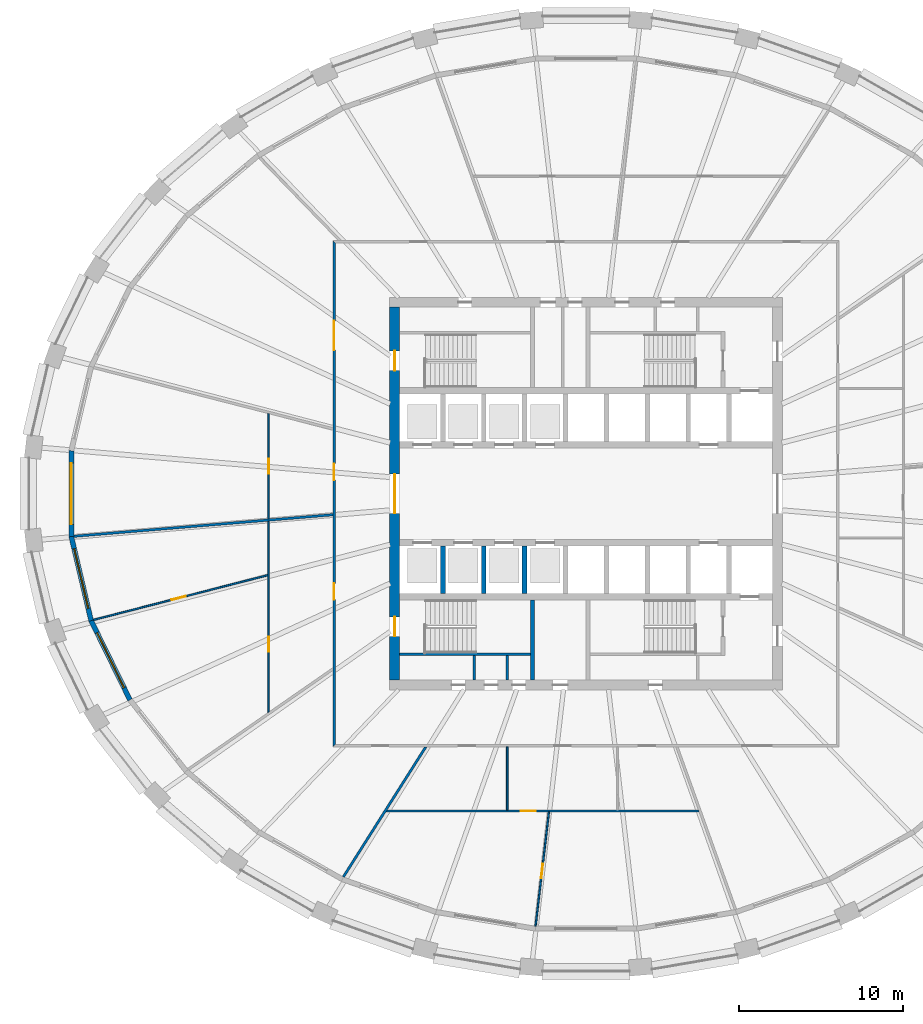
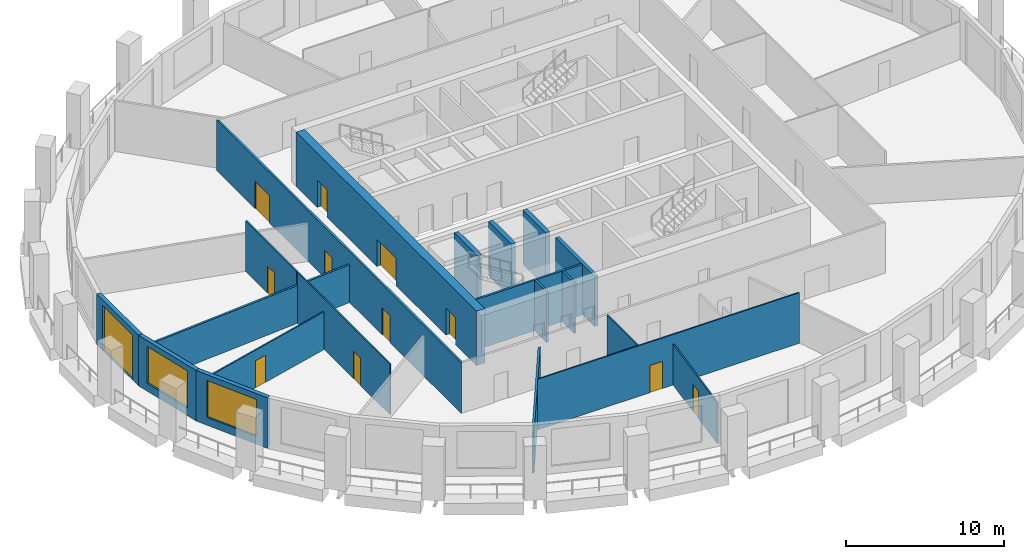
# One storey, part 3 of 11: 20 walls, 12 doors, 2 windows, 14 openings.
"""IFC4 building model written with IfcOpenShell, lengths in metres."""

from ifc_helpers import new_model, si_unit, direction, frame, frame_2d, origin, place, context, subcontext, project, spatial, polyline, rectangle, outline, extrude, material, layer, layer_set, type_object, element, fill, save


model = new_model("IFC4")

# Units and contexts
model_context = context("Model", 3, precision=1e-05, world=origin(), true_north=direction((0.0, 1.0)))
body_context = subcontext(model_context, "Body", "Model", "MODEL_VIEW")
ifc_project = project(units=[si_unit("LENGTHUNIT", "METRE"), si_unit("AREAUNIT", "SQUARE_METRE"), si_unit("VOLUMEUNIT", "CUBIC_METRE"), si_unit("PLANEANGLEUNIT", "RADIAN"), si_unit("MASSUNIT", "GRAM", prefix="KILO")], contexts=[model_context])

# Site, building, storey
site_placement = place(None, origin())
site = spatial("IfcSite", under=ifc_project, at=site_placement, CompositionType="ELEMENT")
building_placement = place(site_placement, origin())
building = spatial("IfcBuilding", under=site, at=building_placement, Name="Halqa Exchange Tower", CompositionType="ELEMENT")
storey_placement = place(building_placement, frame((0.0, 0.0, 150.699951171875)))
storey = spatial("IfcBuildingStorey", under=building, at=storey_placement, Name="L34", CompositionType="ELEMENT", Elevation=150.699951171875)

# Wall
ifc_material_1 = material(Name="Fire-rated gypsum board")
ifc_layer_1 = layer(ifc_material_1, 0.14990234375)
ifc_layer_set_1 = layer_set([ifc_layer_1], Name="Fire-rated gypsum board")
wall_type_1 = type_object("IfcWallType", Name="Fire partition EI 60 150", PredefinedType="PARTITIONING", material=ifc_layer_set_1)
wall_1_placement = place(storey_placement, frame((-31.304931640625, -2.6044921875, 0.0), z_axis=(0.0, 0.0, 1.0), x_axis=(0.996551160003, 0.082980633261, 0.0)))
element("IfcWall", 1, at=wall_1_placement, inside=storey, type_object=wall_type_1, Name="L34-PWL-001", PredefinedType="PARTITIONING", context=body_context, shape_type="SweptSolid", body=[
    extrude(outline(polyline([(0.004638671875, -0.074951171875), (1.9853515625, -0.074951171875), (3.96630859375, -0.074951171875), (5.947265625, -0.074951171875), (7.927978515625, -0.074951171875), (9.908935546875, -0.074951171875), (11.8896484375, -0.074951171875), (11.8896484375, -0.074951171875), (11.890625, -0.074951171875), (13.884521484375, -0.074951171875), (15.87841796875, -0.074951171875), (15.890380859375, 0.068115234375), (15.890380859375, 0.074951171875), (13.904052734375, 0.074951171875), (11.917724609375, 0.074951171875), (9.931396484375, 0.074951171875), (7.9453125, 0.074951171875), (5.958984375, 0.074951171875), (3.97265625, 0.074951171875), (1.986328125, 0.074951171875), (0.0, 0.074951171875), (0.0, -0.044189453125), (0.004638671875, -0.074951171875)])), origin(), (0.0, 0.0, 1.0), 2.91015625),
])

# Wall, openings, doors
wall_2_placement = place(storey_placement, frame((-15.39990234375, -15.47509765625, 0.0), z_axis=(0.0, 0.0, 1.0), x_axis=(0.0, 1.0, 0.0)))
wall_2 = element("IfcWall", 2, at=wall_2_placement, inside=storey, type_object=wall_type_1, Name="L34-PWL-007", PredefinedType="PARTITIONING", context=body_context, shape_type="SweptSolid", body=[
    extrude(outline(polyline([(0.150146484375, -0.074951171875), (2.065673828125, -0.074951171875), (3.9814453125, -0.074951171875), (5.89697265625, -0.074951171875), (7.8125, -0.074951171875), (9.728271484375, -0.074951171875), (11.643798828125, -0.074951171875), (13.5595703125, -0.074951171875), (15.47509765625, -0.074951171875), (17.390625, -0.074951171875), (19.306396484375, -0.074951171875), (21.221923828125, -0.074951171875), (23.1376953125, -0.074951171875), (25.05322265625, -0.074951171875), (26.96875, -0.074951171875), (28.884521484375, -0.074951171875), (30.800048828125, -0.074951171875), (30.949951171875, 0.074951171875), (29.015625, 0.074951171875), (27.081298828125, 0.074951171875), (25.14697265625, 0.074951171875), (23.21240234375, 0.074951171875), (21.278076171875, 0.074951171875), (19.34375, 0.074951171875), (17.409423828125, 0.074951171875), (15.47509765625, 0.074951171875), (13.540771484375, 0.074951171875), (11.6064453125, 0.074951171875), (9.672119140625, 0.074951171875), (7.73779296875, 0.074951171875), (5.80322265625, 0.074951171875), (3.868896484375, 0.074951171875), (1.9345703125, 0.074951171875), (0.000244140625, 0.074951171875), (0.150146484375, -0.074951171875)])), origin(), (0.0, 0.0, 1.0), 3.900146484375),
])
opening_1_placement = place(wall_2_placement, frame((24.2451171875, 0.0, 0.0)))
opening_1 = element("IfcOpeningElement", 3, at=opening_1_placement, cuts=wall_2, Name="Opening 10-08", PredefinedType="OPENING", context=body_context, shape_type="SweptSolid", body=[
    extrude(rectangle(XDim=1.800048828125, YDim=2.10009765625, at=frame_2d((0.89990234375, 1.050048828125))), frame((0.0, 0.0869140625, 0.0), z_axis=(0.0, -1.0, 0.0), x_axis=(1.0, 0.0, 0.0)), (0.0, 0.0, 1.0), 0.173828125),
])
opening_2_placement = place(wall_2_placement, frame((16.304931640625, 0.0, 0.0)))
opening_2 = element("IfcOpeningElement", 4, at=opening_2_placement, cuts=wall_2, Name="Opening 10-09", PredefinedType="OPENING", context=body_context, shape_type="SweptSolid", body=[
    extrude(rectangle(XDim=1.0, YDim=2.10009765625, at=frame_2d((0.5, 1.050048828125))), frame((0.0, 0.0869140625, 0.0), z_axis=(0.0, -1.0, 0.0), x_axis=(1.0, 0.0, 0.0)), (0.0, 0.0, 1.0), 0.173828125),
])
opening_3_placement = place(wall_2_placement, frame((9.0, 0.0, 0.0)))
opening_3 = element("IfcOpeningElement", 5, at=opening_3_placement, cuts=wall_2, Name="Opening 10-10", PredefinedType="OPENING", context=body_context, shape_type="SweptSolid", body=[
    extrude(rectangle(XDim=1.0, YDim=2.10009765625, at=frame_2d((0.5, 1.050048828125))), frame((0.0, 0.0869140625, 0.0), z_axis=(0.0, -1.0, 0.0), x_axis=(1.0, 0.0, 0.0)), (0.0, 0.0, 1.0), 0.173828125),
])
ifc_material_2 = material(Name="Steel fire door leaf", Category="steel")
door_type_1 = type_object("IfcDoorType", Name="Fire door FD30S 1000 x 2100", OperationType="SINGLE_SWING_LEFT", PredefinedType="DOOR", material=ifc_material_2)
door_1_placement = place(opening_2_placement, origin())
door_1 = element("IfcDoor", 6, at=door_1_placement, inside=storey, type_object=door_type_1, Name="L34-IDR-009", OperationType="SINGLE_SWING_RIGHT", OverallHeight=2.10009765625, OverallWidth=1.0, PredefinedType="DOOR", context=body_context, shape_type="SweptSolid", body=[
    extrude(rectangle(XDim=1.0, YDim=2.10009765625, at=frame_2d((0.5, 1.050048828125))), frame((0.0, 0.02490234375, 0.0), z_axis=(0.0, -1.0, 0.0), x_axis=(1.0, 0.0, 0.0)), (0.0, 0.0, 1.0), 0.050048828125),
])
fill(opening_2, door_1)
door_2_placement = place(opening_3_placement, origin())
door_2 = element("IfcDoor", 7, at=door_2_placement, inside=storey, type_object=door_type_1, Name="L34-IDR-010", OperationType="SINGLE_SWING_LEFT", OverallHeight=2.10009765625, OverallWidth=1.0, PredefinedType="DOOR", context=body_context, shape_type="SweptSolid", body=[
    extrude(rectangle(XDim=1.0, YDim=2.10009765625, at=frame_2d((0.5, 1.050048828125))), frame((0.0, 0.02490234375, 0.0), z_axis=(0.0, -1.0, 0.0), x_axis=(1.0, 0.0, 0.0)), (0.0, 0.0, 1.0), 0.050048828125),
])
fill(opening_3, door_2)
door_type_2 = type_object("IfcDoorType", Name="Fire door FD30S double 1800 x 2100", OperationType="DOUBLE_DOOR_SINGLE_SWING", PredefinedType="DOOR", material=ifc_material_2)
door_3_placement = place(opening_1_placement, origin())
door_3 = element("IfcDoor", 8, at=door_3_placement, inside=storey, type_object=door_type_2, Name="L34-IDR-008", OperationType="DOUBLE_DOOR_SINGLE_SWING", OverallHeight=2.10009765625, OverallWidth=1.800048828125, PredefinedType="DOOR", context=body_context, shape_type="SweptSolid", body=[
    extrude(rectangle(XDim=1.800048828125, YDim=2.10009765625, at=frame_2d((0.89990234375, 1.050048828125))), frame((0.0, 0.02490234375, 0.0), z_axis=(0.0, -1.0, 0.0), x_axis=(1.0, 0.0, 0.0)), (0.0, 0.0, 1.0), 0.050048828125),
])
fill(opening_1, door_3)

# Wall
wall_3_placement = place(storey_placement, frame((-14.836669921875, -23.432373046875, 0.0), z_axis=(0.0, 0.0, 1.0), x_axis=(0.535485065479, 0.844544696655, 0.0)))
element("IfcWall", 9, at=wall_3_placement, inside=storey, type_object=wall_type_1, Name="L34-PWL-011", PredefinedType="PARTITIONING", context=body_context, shape_type="SweptSolid", body=[
    extrude(outline(polyline([(0.020263671875, -0.074951171875), (1.638671875, -0.074951171875), (3.25732421875, -0.074951171875), (4.875732421875, -0.074951171875), (4.879638671875, -0.072509765625), (4.88134765625, -0.074951171875), (6.41064453125, -0.074951171875), (7.939697265625, -0.074951171875), (9.468994140625, -0.074951171875), (9.468994140625, -0.073974609375), (9.37451171875, 0.074951171875), (7.499755859375, 0.074951171875), (5.624755859375, 0.074951171875), (3.749755859375, 0.074951171875), (1.875, 0.074951171875), (0.0, 0.074951171875), (0.0, 0.066162109375), (0.003662109375, -0.003662109375), (0.020263671875, -0.074951171875)])), origin(), (0.0, 0.0, 1.0), 3.14697265625),
])

# Wall, opening, door
ifc_material_3 = material(Name="Gypsum board")
ifc_layer_2 = layer(ifc_material_3, 0.10009765625)
ifc_layer_set_2 = layer_set([ifc_layer_2], Name="Gypsum board")
wall_type_2 = type_object("IfcWallType", Name="Partition 100 gypsum", PredefinedType="PARTITIONING", material=ifc_layer_set_2)
wall_4_placement = place(storey_placement, frame((-19.39990234375, -13.387451171875, 0.0), z_axis=(0.0, 0.0, 1.0), x_axis=(0.0, 1.0, 0.0)))
wall_4 = element("IfcWall", 10, at=wall_4_placement, inside=storey, type_object=wall_type_2, Name="L34-PWL-004", PredefinedType="PARTITIONING", context=body_context, shape_type="SweptSolid", body=[
    extrude(outline(polyline([(11.702880859375, -0.050048828125), (11.702880859375, -0.0458984375), (11.69482421875, 0.050048828125), (10.02783203125, 0.050048828125), (8.360595703125, 0.050048828125), (8.353515625, 0.048095703125), (8.35302734375, 0.050048828125), (6.682373046875, 0.050048828125), (5.01171875, 0.050048828125), (3.34130859375, 0.050048828125), (1.670654296875, 0.050048828125), (0.0, 0.050048828125), (0.0, 0.0498046875), (0.0693359375, -0.050048828125), (2.00830078125, -0.050048828125), (3.947021484375, -0.050048828125), (5.885986328125, -0.050048828125), (7.824951171875, -0.050048828125), (9.763916015625, -0.050048828125), (11.702880859375, -0.050048828125)])), origin(), (0.0, 0.0, 1.0), 3.900146484375),
])
opening_4_placement = place(wall_4_placement, frame((3.732421875, 0.0, 0.0)))
opening_4 = element("IfcOpeningElement", 11, at=opening_4_placement, cuts=wall_4, Name="Opening 10-21", PredefinedType="OPENING", context=body_context, shape_type="SweptSolid", body=[
    extrude(rectangle(XDim=0.89990234375, YDim=2.10009765625, at=frame_2d((0.449951171875, 1.050048828125))), frame((0.0, 0.06201171875, 0.0), z_axis=(0.0, -1.0, 0.0), x_axis=(1.0, 0.0, 0.0)), (0.0, 0.0, 1.0), 0.1240234375),
])
ifc_material_4 = material(Name="Timber door leaf", Category="wood")
door_type_3 = type_object("IfcDoorType", Name="Door 900 x 2100", OperationType="SINGLE_SWING_LEFT", PredefinedType="DOOR", material=ifc_material_4)
door_4_placement = place(opening_4_placement, frame((0.89990234375, 0.0, 0.0), z_axis=(0.0, 0.0, 1.0), x_axis=(-1.0, 0.0, 0.0)))
door_4 = element("IfcDoor", 12, at=door_4_placement, inside=storey, type_object=door_type_3, Name="L34-IDR-021", OperationType="SINGLE_SWING_LEFT", OverallHeight=2.10009765625, OverallWidth=0.89990234375, PredefinedType="DOOR", context=body_context, shape_type="SweptSolid", body=[
    extrude(rectangle(XDim=0.89990234375, YDim=2.10009765625, at=frame_2d((0.449951171875, 1.050048828125))), frame((0.0, 0.02490234375, 0.0), z_axis=(0.0, -1.0, 0.0), x_axis=(1.0, 0.0, 0.0)), (0.0, 0.0, 1.0), 0.050048828125),
])
fill(opening_4, door_4)

wall_5_placement = place(storey_placement, frame((-19.437744140625, -4.979736328125, 0.0), z_axis=(0.0, 0.0, 1.0), x_axis=(-0.968675214927, -0.248331085419, 0.0)))
wall_5 = element("IfcWall", 13, at=wall_5_placement, inside=storey, type_object=wall_type_2, Name="L34-PWL-005", PredefinedType="PARTITIONING", context=body_context, shape_type="SweptSolid", body=[
    extrude(outline(polyline([(11.013916015625, -0.050048828125), (11.013916015625, 0.00244140625), (11.00390625, 0.050048828125), (9.17431640625, 0.050048828125), (7.344482421875, 0.050048828125), (5.5146484375, 0.050048828125), (3.68505859375, 0.050048828125), (1.855224609375, 0.050048828125), (0.025390625, 0.050048828125), (0.0, -0.04931640625), (0.0, -0.050048828125), (1.835693359375, -0.050048828125), (3.67138671875, -0.050048828125), (5.5068359375, -0.050048828125), (7.342529296875, -0.050048828125), (9.17822265625, -0.050048828125), (11.013916015625, -0.050048828125)])), origin(), (0.0, 0.0, 1.0), 2.91015625),
])
opening_5_placement = place(wall_5_placement, frame((5.18896484375, 0.0, 0.0)))
opening_5 = element("IfcOpeningElement", 14, at=opening_5_placement, cuts=wall_5, Name="Opening 10-22", PredefinedType="OPENING", context=body_context, shape_type="SweptSolid", body=[
    extrude(rectangle(XDim=0.89990234375, YDim=2.10009765625, at=frame_2d((0.449951171875, 1.050048828125))), frame((0.0, 0.06201171875, 0.0), z_axis=(0.0, -1.0, 0.0), x_axis=(1.0, 0.0, 0.0)), (0.0, 0.0, 1.0), 0.1240234375),
])
door_5_placement = place(opening_5_placement, frame((0.89990234375, 0.0, 0.0), z_axis=(0.0, 0.0, 1.0), x_axis=(-1.0, 0.0, 0.0)))
door_5 = element("IfcDoor", 15, at=door_5_placement, inside=storey, type_object=door_type_3, Name="L34-IDR-022", OperationType="SINGLE_SWING_LEFT", OverallHeight=2.10009765625, OverallWidth=0.89990234375, PredefinedType="DOOR", context=body_context, shape_type="SweptSolid", body=[
    extrude(rectangle(XDim=0.89990234375, YDim=2.10009765625, at=frame_2d((0.449951171875, 1.050048828125))), frame((0.0, 0.02490234375, 0.0), z_axis=(0.0, -1.0, 0.0), x_axis=(1.0, 0.0, 0.0)), (0.0, 0.0, 1.0), 0.050048828125),
])
fill(opening_5, door_5)

wall_6_placement = place(storey_placement, frame((-19.39990234375, -1.5419921875, 0.0), z_axis=(0.0, 0.0, 1.0), x_axis=(0.0, 1.0, 0.0)))
wall_6 = element("IfcWall", 16, at=wall_6_placement, inside=storey, type_object=wall_type_2, Name="L34-PWL-006", PredefinedType="PARTITIONING", context=body_context, shape_type="SweptSolid", body=[
    extrude(outline(polyline([(0.00830078125, -0.050048828125), (1.61083984375, -0.050048828125), (3.21337890625, -0.050048828125), (4.81591796875, -0.050048828125), (6.41845703125, -0.050048828125), (6.444091796875, 0.050048828125), (4.8330078125, 0.050048828125), (3.221923828125, 0.050048828125), (1.611083984375, 0.050048828125), (0.0, 0.050048828125), (0.0, 0.049560546875), (0.00830078125, -0.050048828125)])), origin(), (0.0, 0.0, 1.0), 3.900146484375),
])
opening_6_placement = place(wall_6_placement, frame((2.77197265625, 0.0, 0.0)))
opening_6 = element("IfcOpeningElement", 17, at=opening_6_placement, cuts=wall_6, Name="Opening 10-20", PredefinedType="OPENING", context=body_context, shape_type="SweptSolid", body=[
    extrude(rectangle(XDim=0.89990234375, YDim=2.10009765625, at=frame_2d((0.449951171875, 1.050048828125))), frame((0.0, 0.06201171875, 0.0), z_axis=(0.0, -1.0, 0.0), x_axis=(1.0, 0.0, 0.0)), (0.0, 0.0, 1.0), 0.1240234375),
])
door_6_placement = place(opening_6_placement, frame((0.89990234375, 0.0, 0.0), z_axis=(0.0, 0.0, 1.0), x_axis=(-1.0, 0.0, 0.0)))
door_6 = element("IfcDoor", 18, at=door_6_placement, inside=storey, type_object=door_type_3, Name="L34-IDR-020", OperationType="SINGLE_SWING_LEFT", OverallHeight=2.10009765625, OverallWidth=0.89990234375, PredefinedType="DOOR", context=body_context, shape_type="SweptSolid", body=[
    extrude(rectangle(XDim=0.89990234375, YDim=2.10009765625, at=frame_2d((0.449951171875, 1.050048828125))), frame((0.0, 0.02490234375, 0.0), z_axis=(0.0, -1.0, 0.0), x_axis=(1.0, 0.0, 0.0)), (0.0, 0.0, 1.0), 0.050048828125),
])
fill(opening_6, door_6)

wall_7_placement = place(storey_placement, frame((-12.222412109375, -19.39990234375, 0.0), z_axis=(0.0, 0.0, 1.0), x_axis=(1.0, 0.0, 0.0)))
wall_7 = element("IfcWall", 19, at=wall_7_placement, inside=storey, type_object=wall_type_2, Name="L34-PWL-012", PredefinedType="PARTITIONING", context=body_context, shape_type="SweptSolid", body=[
    extrude(outline(polyline([(0.0, -0.050048828125), (1.981201171875, -0.050048828125), (3.96240234375, -0.050048828125), (5.943603515625, -0.050048828125), (7.925048828125, -0.050048828125), (9.90625, -0.050048828125), (9.90625, -0.048828125), (9.916259765625, -0.050048828125), (11.759033203125, -0.050048828125), (13.6015625, -0.050048828125), (15.4443359375, -0.050048828125), (17.287109375, -0.050048828125), (19.1298828125, -0.050048828125), (19.1298828125, -0.049560546875), (19.093994140625, 0.050048828125), (17.463623046875, 0.050048828125), (15.8330078125, 0.050048828125), (14.202392578125, 0.050048828125), (14.202392578125, 0.0498046875), (14.102294921875, 0.0498046875), (14.102294921875, 0.050048828125), (12.4423828125, 0.050048828125), (10.782470703125, 0.050048828125), (9.122314453125, 0.050048828125), (7.46240234375, 0.050048828125), (7.46240234375, 0.0498046875), (7.3623046875, 0.0498046875), (7.3623046875, 0.050048828125), (5.53759765625, 0.050048828125), (3.712646484375, 0.050048828125), (1.887939453125, 0.050048828125), (0.06298828125, 0.050048828125), (0.0, -0.04931640625), (0.0, -0.050048828125)])), origin(), (0.0, 0.0, 1.0), 3.900146484375),
])
opening_7_placement = place(wall_7_placement, frame((8.237548828125, 0.0, 0.0)))
opening_7 = element("IfcOpeningElement", 20, at=opening_7_placement, cuts=wall_7, Name="Opening 10-23", PredefinedType="OPENING", context=body_context, shape_type="SweptSolid", body=[
    extrude(rectangle(XDim=0.89990234375, YDim=2.10009765625, at=frame_2d((0.449951171875, 1.050048828125))), frame((0.0, 0.06201171875, 0.0), z_axis=(0.0, -1.0, 0.0), x_axis=(1.0, 0.0, 0.0)), (0.0, 0.0, 1.0), 0.1240234375),
])
door_7_placement = place(opening_7_placement, origin())
door_7 = element("IfcDoor", 21, at=door_7_placement, inside=storey, type_object=door_type_3, Name="L34-IDR-023", OperationType="SINGLE_SWING_RIGHT", OverallHeight=2.10009765625, OverallWidth=0.89990234375, PredefinedType="DOOR", context=body_context, shape_type="SweptSolid", body=[
    extrude(rectangle(XDim=0.89990234375, YDim=2.10009765625, at=frame_2d((0.449951171875, 1.050048828125))), frame((0.0, 0.02490234375, 0.0), z_axis=(0.0, -1.0, 0.0), x_axis=(1.0, 0.0, 0.0)), (0.0, 0.0, 1.0), 0.050048828125),
])
fill(opening_7, door_7)

# Wall
wall_8_placement = place(storey_placement, frame((-4.81005859375, -19.35009765625, 0.0), z_axis=(0.0, 0.0, 1.0), x_axis=(0.0, 1.0, 0.0)))
element("IfcWall", 22, at=wall_8_placement, inside=storey, type_object=wall_type_2, Name="L34-PWL-015", PredefinedType="PARTITIONING", context=body_context, shape_type="SweptSolid", body=[
    extrude(rectangle(XDim=3.875, YDim=0.10009765625, at=frame_2d((1.9375, 0.0))), origin(), (0.0, 0.0, 1.0), 3.900146484375),
])

# Wall, opening, door
wall_9_placement = place(storey_placement, frame((-2.26513671875, -19.444091796875, 0.0), z_axis=(0.0, 0.0, 1.0), x_axis=(-0.116388626605, -0.993203749287, 0.0)))
wall_9 = element("IfcWall", 23, at=wall_9_placement, inside=storey, type_object=wall_type_2, Name="L34-PWL-016", PredefinedType="PARTITIONING", context=body_context, shape_type="SweptSolid", body=[
    extrude(outline(polyline([(0.01171875, -0.050048828125), (1.769287109375, -0.050048828125), (3.52685546875, -0.050048828125), (5.2841796875, -0.050048828125), (7.041748046875, -0.050048828125), (7.041748046875, -0.048583984375), (7.041748046875, 0.0224609375), (7.03857421875, 0.050048828125), (5.27880859375, 0.050048828125), (3.519287109375, 0.050048828125), (1.759765625, 0.050048828125), (0.0, 0.050048828125), (0.01171875, -0.050048828125)])), origin(), (0.0, 0.0, 1.0), 3.14697265625),
])
opening_8_placement = place(wall_9_placement, frame((3.20068359375, 0.0, 0.0)))
opening_8 = element("IfcOpeningElement", 24, at=opening_8_placement, cuts=wall_9, Name="Opening 10-24", PredefinedType="OPENING", context=body_context, shape_type="SweptSolid", body=[
    extrude(rectangle(XDim=0.89990234375, YDim=2.10009765625, at=frame_2d((0.449951171875, 1.050048828125))), frame((0.0, 0.06201171875, 0.0), z_axis=(0.0, -1.0, 0.0), x_axis=(1.0, 0.0, 0.0)), (0.0, 0.0, 1.0), 0.1240234375),
])
door_8_placement = place(opening_8_placement, frame((0.89990234375, 0.0, 0.0), z_axis=(0.0, 0.0, 1.0), x_axis=(-1.0, 0.0, 0.0)))
door_8 = element("IfcDoor", 25, at=door_8_placement, inside=storey, type_object=door_type_3, Name="L34-IDR-024", OperationType="SINGLE_SWING_RIGHT", OverallHeight=2.10009765625, OverallWidth=0.89990234375, PredefinedType="DOOR", context=body_context, shape_type="SweptSolid", body=[
    extrude(rectangle(XDim=0.89990234375, YDim=2.10009765625, at=frame_2d((0.449951171875, 1.050048828125))), frame((0.0, 0.02490234375, 0.0), z_axis=(0.0, -1.0, 0.0), x_axis=(1.0, 0.0, 0.0)), (0.0, 0.0, 1.0), 0.050048828125),
])
fill(opening_8, door_8)

# Walls
ifc_layer_3 = layer(ifc_material_3, 0.14990234375)
ifc_layer_set_3 = layer_set([ifc_layer_3], Name="Gypsum board")
wall_type_3 = type_object("IfcWallType", Name="Penthouse riser wall 150 gypsum", PredefinedType="PARTITIONING", material=ifc_layer_set_3)
for number, where, z_axis, x_axis, name in (
    (26, (-6.824951171875, -11.39990234375, 0.0), (0.0, 0.0, 1.0), (0.0, 1.0, 0.0), "Partition W6.825 S"),
    (27, (-4.824951171875, -11.39990234375, 0.0), (0.0, 0.0, 1.0), (0.0, 1.0, 0.0), "Partition W4.825 S"),
):
    element("IfcWall", number, at=place(storey_placement, frame(where, z_axis=z_axis, x_axis=x_axis)), inside=storey, type_object=wall_type_3, Name=name, PredefinedType="PARTITIONING", context=body_context, shape_type="SweptSolid", body=[
        extrude(rectangle(XDim=1.5, YDim=0.14990234375, at=frame_2d((0.75, 0.0))), origin(), (0.0, 0.0, 1.0), 3.900146484375),
    ])
ifc_material_5 = material(Name="Concrete C60/75", Category="concrete")
ifc_layer_4 = layer(ifc_material_5, 0.300048828125)
ifc_layer_set_4 = layer_set([ifc_layer_4], Name="Concrete C60/75")
wall_type_4 = type_object("IfcWallType", Name="RC core wall 300", PredefinedType="SHEAR", material=ifc_layer_set_4)
for number, where, z_axis, x_axis, name in (
    (28, (-8.75, -6.10009765625, 0.0), (0.0, 0.0, 1.0), (0.0, 1.0, 0.0), "Shaft divider S1"),
    (29, (-6.25, -6.10009765625, 0.0), (0.0, 0.0, 1.0), (0.0, 1.0, 0.0), "Shaft divider S2"),
    (30, (-3.75, -6.10009765625, 0.0), (0.0, 0.0, 1.0), (0.0, 1.0, 0.0), "Shaft divider S3"),
):
    element("IfcWall", number, at=place(storey_placement, frame(where, z_axis=z_axis, x_axis=x_axis)), inside=storey, type_object=wall_type_4, Name=name, PredefinedType="SHEAR", context=body_context, shape_type="SweptSolid", body=[
        extrude(rectangle(XDim=2.900146484375, YDim=0.300048828125, at=frame_2d((1.4501953125, 0.0))), origin(), (0.0, 0.0, 1.0), 4.199951171875),
    ])

# Wall, openings, doors
ifc_material_6 = material(Name="Concrete C70/85", Category="concrete")
ifc_layer_5 = layer(ifc_material_6, 0.60009765625)
ifc_layer_set_5 = layer_set([ifc_layer_5], Name="Concrete C70/85")
wall_type_5 = type_object("IfcWallType", Name="RC core wall 600 C70/85", PredefinedType="SHEAR", material=ifc_layer_set_5)
wall_10_placement = place(storey_placement, frame((-11.699951171875, -11.39990234375, 0.0), z_axis=(0.0, 0.0, 1.0), x_axis=(0.0, 1.0, 0.0)))
wall_10 = element("IfcWall", 31, at=wall_10_placement, inside=storey, type_object=wall_type_5, Name="Core wall west", PredefinedType="SHEAR", context=body_context, shape_type="SweptSolid", body=[
    extrude(rectangle(XDim=22.7998046875, YDim=0.60009765625, at=frame_2d((11.39990234375, 0.0))), origin(), (0.0, 0.0, 1.0), 4.199951171875),
])
opening_9_placement = place(wall_10_placement, frame((10.199951171875, 0.0, 0.0)))
opening_9 = element("IfcOpeningElement", 32, at=opening_9_placement, cuts=wall_10, Name="Opening T10-C13", PredefinedType="OPENING", context=body_context, shape_type="SweptSolid", body=[
    extrude(rectangle(XDim=2.39990234375, YDim=2.10009765625, at=frame_2d((1.199951171875, 1.050048828125))), frame((0.0, 0.31201171875, 0.0), z_axis=(0.0, -1.0, 0.0), x_axis=(1.0, 0.0, 0.0)), (0.0, 0.0, 1.0), 0.6240234375),
])
opening_10_placement = place(wall_10_placement, frame((18.925048828125, 0.0, 0.0)))
opening_10 = element("IfcOpeningElement", 33, at=opening_10_placement, cuts=wall_10, Name="Opening T10-C15", PredefinedType="OPENING", context=body_context, shape_type="SweptSolid", body=[
    extrude(rectangle(XDim=1.199951171875, YDim=2.10009765625, at=frame_2d((0.60009765625, 1.050048828125))), frame((0.0, 0.31201171875, 0.0), z_axis=(0.0, -1.0, 0.0), x_axis=(1.0, 0.0, 0.0)), (0.0, 0.0, 1.0), 0.6240234375),
])
opening_11_placement = place(wall_10_placement, frame((2.675048828125, 0.0, 0.0)))
opening_11 = element("IfcOpeningElement", 34, at=opening_11_placement, cuts=wall_10, Name="Opening T10-C17", PredefinedType="OPENING", context=body_context, shape_type="SweptSolid", body=[
    extrude(rectangle(XDim=1.199951171875, YDim=2.10009765625, at=frame_2d((0.60009765625, 1.050048828125))), frame((0.0, 0.31201171875, 0.0), z_axis=(0.0, -1.0, 0.0), x_axis=(1.0, 0.0, 0.0)), (0.0, 0.0, 1.0), 0.6240234375),
])
door_type_4 = type_object("IfcDoorType", Name="Lobby double door FD60 2400 x 2100", OperationType="DOUBLE_DOOR_SINGLE_SWING", PredefinedType="DOOR", material=ifc_material_2)
door_9_placement = place(opening_9_placement, frame((2.39990234375, 0.0, 0.0), z_axis=(0.0, 0.0, 1.0), x_axis=(-1.0, 0.0, 0.0)))
door_9 = element("IfcDoor", 35, at=door_9_placement, inside=storey, type_object=door_type_4, Name="Lift lobby double door", OperationType="DOUBLE_DOOR_SINGLE_SWING", OverallHeight=2.10009765625, OverallWidth=2.39990234375, PredefinedType="DOOR", context=body_context, shape_type="SweptSolid", body=[
    extrude(rectangle(XDim=2.39990234375, YDim=2.10009765625, at=frame_2d((1.199951171875, 1.050048828125))), frame((0.0, 0.02490234375, 0.0), z_axis=(0.0, -1.0, 0.0), x_axis=(1.0, 0.0, 0.0)), (0.0, 0.0, 1.0), 0.050048828125),
])
fill(opening_9, door_9)
door_type_5 = type_object("IfcDoorType", Name="Stair door FD90 1200 x 2100", OperationType="SINGLE_SWING_LEFT", PredefinedType="DOOR", material=ifc_material_2)
door_10_placement = place(opening_10_placement, frame((1.199951171875, 0.0, 0.0), z_axis=(0.0, 0.0, 1.0), x_axis=(-1.0, 0.0, 0.0)))
door_10 = element("IfcDoor", 36, at=door_10_placement, inside=storey, type_object=door_type_5, Name="Stair door ST1", OperationType="SINGLE_SWING_RIGHT", OverallHeight=2.10009765625, OverallWidth=1.199951171875, PredefinedType="DOOR", context=body_context, shape_type="SweptSolid", body=[
    extrude(rectangle(XDim=1.199951171875, YDim=2.10009765625, at=frame_2d((0.60009765625, 1.050048828125))), frame((0.0, 0.02490234375, 0.0), z_axis=(0.0, -1.0, 0.0), x_axis=(1.0, 0.0, 0.0)), (0.0, 0.0, 1.0), 0.050048828125),
])
fill(opening_10, door_10)
door_11_placement = place(opening_11_placement, frame((1.199951171875, 0.0, 0.0), z_axis=(0.0, 0.0, 1.0), x_axis=(-1.0, 0.0, 0.0)))
door_11 = element("IfcDoor", 37, at=door_11_placement, inside=storey, type_object=door_type_5, Name="Stair door ST3", OperationType="SINGLE_SWING_RIGHT", OverallHeight=2.10009765625, OverallWidth=1.199951171875, PredefinedType="DOOR", context=body_context, shape_type="SweptSolid", body=[
    extrude(rectangle(XDim=1.199951171875, YDim=2.10009765625, at=frame_2d((0.60009765625, 1.050048828125))), frame((0.0, 0.02490234375, 0.0), z_axis=(0.0, -1.0, 0.0), x_axis=(1.0, 0.0, 0.0)), (0.0, 0.0, 1.0), 0.050048828125),
])
fill(opening_11, door_11)

# Walls
ifc_material_7 = material(Name="Concrete C30/37", Category="concrete")
ifc_layer_6 = layer(ifc_material_7, 0.14990234375)
ifc_layer_set_6 = layer_set([ifc_layer_6], Name="Concrete C30/37")
wall_type_6 = type_object("IfcWallType", Name="RC stair wall 150 C30/37", PredefinedType="SHEAR", material=ifc_layer_set_6)
wall_11_placement = place(storey_placement, frame((-11.39990234375, -9.824951171875, 0.0), z_axis=(0.0, 0.0, 1.0), x_axis=(1.0, 0.0, 0.0)))
element("IfcWall", 38, at=wall_11_placement, inside=storey, type_object=wall_type_6, Name="Stair ST1 north wall S", PredefinedType="SHEAR", context=body_context, shape_type="SweptSolid", body=[
    extrude(rectangle(XDim=8.0, YDim=0.14990234375, at=frame_2d((4.0, 0.0))), origin(), (0.0, 0.0, 1.0), 3.900146484375),
])
ifc_layer_7 = layer(ifc_material_7, 0.25)
ifc_layer_set_7 = layer_set([ifc_layer_7], Name="Concrete C30/37")
wall_type_7 = type_object("IfcWallType", Name="RC stair wall 250 C30/37", PredefinedType="SHEAR", material=ifc_layer_set_7)
wall_12_placement = place(storey_placement, frame((-3.27490234375, -11.39990234375, 0.0), z_axis=(0.0, 0.0, 1.0), x_axis=(0.0, 1.0, 0.0)))
element("IfcWall", 39, at=wall_12_placement, inside=storey, type_object=wall_type_7, Name="Stair ST1 east wall S", PredefinedType="SHEAR", context=body_context, shape_type="SweptSolid", body=[
    extrude(rectangle(XDim=4.89990234375, YDim=0.25, at=frame_2d((2.449951171875, 0.0))), origin(), (0.0, 0.0, 1.0), 3.900146484375),
])

# Wall, opening, door
ifc_material_8 = material(Name="Limestone cladding", Category="masonry")
ifc_layer_8 = layer(ifc_material_8, 0.0400390625)
ifc_material_9 = material(Name="Ventilated cavity")
ifc_layer_9 = layer(ifc_material_9, 0.030029296875, ventilated=True)
ifc_material_10 = material(Name="Mineral wool insulation")
ifc_layer_10 = layer(ifc_material_10, 0.10009765625)
ifc_layer_11 = layer(ifc_material_7, 0.10009765625)
ifc_material_11 = material(Name="Internal plaster")
ifc_layer_12 = layer(ifc_material_11, 0.030029296875)
ifc_layer_set_8 = layer_set([ifc_layer_8, ifc_layer_9, ifc_layer_10, ifc_layer_11, ifc_layer_12], Name="Stone-faced insulated wall 300")
wall_type_8 = type_object("IfcWallType", Name="Stone-faced insulated wall 300", PredefinedType="STANDARD", material=ifc_layer_set_8)
wall_13_placement = place(storey_placement, frame((-31.461669921875, 2.62158203125, 0.0), z_axis=(0.0, 0.0, 1.0), x_axis=(0.0, -1.0, 0.0)))
wall_13 = element("IfcWall", 40, at=wall_13_placement, inside=storey, type_object=wall_type_8, Name="Glass-line wall 16", PredefinedType="STANDARD", context=body_context, shape_type="SweptSolid", body=[
    extrude(outline(polyline([(-0.017333984375, -0.14990234375), (5.260498046875, -0.14990234375), (5.225830078125, 0.14990234375), (0.017333984375, 0.14990234375), (-0.017333984375, -0.14990234375)])), origin(), (0.0, 0.0, 1.0), 3.900146484375),
])
opening_12_placement = place(wall_13_placement, frame((0.74658203125, 0.0, 0.0)))
opening_12 = element("IfcOpeningElement", 41, at=opening_12_placement, cuts=wall_13, Name="Opening LG-F2-04", PredefinedType="OPENING", context=body_context, shape_type="SweptSolid", body=[
    extrude(rectangle(XDim=3.75, YDim=3.449951171875, at=frame_2d((1.875, 1.72509765625))), frame((0.0, 0.162109375, 0.0), z_axis=(0.0, -1.0, 0.0), x_axis=(1.0, 0.0, 0.0)), (0.0, 0.0, 1.0), 0.323974609375),
])
ifc_material_12 = material(Name="Clear low-emissivity glass in aluminium frame", Category="aluminium")
door_type_6 = type_object("IfcDoorType", Name="Glazed sliding loggia door 3750 x 3450", OperationType="DOUBLE_DOOR_SLIDING", PredefinedType="DOOR", material=ifc_material_12)
door_12_placement = place(opening_12_placement, origin())
door_12 = element("IfcDoor", 42, at=door_12_placement, inside=storey, type_object=door_type_6, Name="Loggia door 4", OperationType="DOUBLE_DOOR_SLIDING", OverallHeight=3.449951171875, OverallWidth=3.75, PredefinedType="DOOR", context=body_context, shape_type="SweptSolid", body=[
    extrude(rectangle(XDim=3.75, YDim=3.449951171875, at=frame_2d((1.875, 1.72509765625))), frame((0.0, 0.02490234375, 0.0), z_axis=(0.0, -1.0, 0.0), x_axis=(1.0, 0.0, 0.0)), (0.0, 0.0, 1.0), 0.050048828125),
])
fill(opening_12, door_12)

# Wall, opening, window
wall_14_placement = place(storey_placement, frame((-31.461669921875, -2.62158203125, 0.0), z_axis=(0.0, 0.0, 1.0), x_axis=(0.229289208312, -0.973358340464, 0.0)))
wall_14 = element("IfcWall", 43, at=wall_14_placement, inside=storey, type_object=wall_type_8, Name="Glass-line wall 17", PredefinedType="STANDARD", context=body_context, shape_type="SweptSolid", body=[
    extrude(outline(polyline([(-0.017333984375, -0.14990234375), (5.299072265625, -0.14990234375), (5.265380859375, 0.14990234375), (0.017333984375, 0.14990234375), (-0.017333984375, -0.14990234375)])), origin(), (0.0, 0.0, 1.0), 3.900146484375),
])
opening_13_placement = place(wall_14_placement, frame((0.76611328125, 0.0, 0.60009765625)))
opening_13 = element("IfcOpeningElement", 44, at=opening_13_placement, cuts=wall_14, Name="Opening W-F2-17", PredefinedType="OPENING", context=body_context, shape_type="SweptSolid", body=[
    extrude(rectangle(XDim=3.75, YDim=2.85009765625, at=frame_2d((1.875, 1.425048828125))), frame((0.0, 0.162109375, 0.0), z_axis=(0.0, -1.0, 0.0), x_axis=(1.0, 0.0, 0.0)), (0.0, 0.0, 1.0), 0.323974609375),
])
window_type = type_object("IfcWindowType", Name="Fixed clear glazed window 3750 x 2850", PartitioningType="TRIPLE_PANEL_VERTICAL", PredefinedType="WINDOW", material=ifc_material_12)
window_1_placement = place(opening_13_placement, origin())
window_1 = element("IfcWindow", 45, at=window_1_placement, inside=storey, type_object=window_type, Name="Window 2", OverallHeight=2.85009765625, OverallWidth=3.75, PartitioningType="TRIPLE_PANEL_VERTICAL", PredefinedType="WINDOW", context=body_context, shape_type="SweptSolid", body=[
    extrude(rectangle(XDim=3.75, YDim=2.85009765625, at=frame_2d((1.875, 1.425048828125))), frame((0.0, 0.030029296875, 0.0), z_axis=(0.0, -1.0, 0.0), x_axis=(1.0, 0.0, 0.0)), (0.0, 0.0, 1.0), 0.06005859375),
])
fill(opening_13, window_1)

wall_15_placement = place(storey_placement, frame((-30.25048828125, -7.76318359375, 0.0), z_axis=(0.0, 0.0, 1.0), x_axis=(0.440373354088, -0.897814740918, 0.0)))
wall_15 = element("IfcWall", 46, at=wall_15_placement, inside=storey, type_object=wall_type_8, Name="Glass-line wall 18", PredefinedType="STANDARD", context=body_context, shape_type="SweptSolid", body=[
    extrude(outline(polyline([(-0.016845703125, -0.14990234375), (5.40869140625, -0.14990234375), (5.37646484375, 0.14990234375), (0.016845703125, 0.14990234375), (-0.016845703125, -0.14990234375)])), origin(), (0.0, 0.0, 1.0), 3.900146484375),
])
opening_14_placement = place(wall_15_placement, frame((0.8212890625, 0.0, 0.60009765625)))
opening_14 = element("IfcOpeningElement", 47, at=opening_14_placement, cuts=wall_15, Name="Opening W-F2-18", PredefinedType="OPENING", context=body_context, shape_type="SweptSolid", body=[
    extrude(rectangle(XDim=3.75, YDim=2.85009765625, at=frame_2d((1.875, 1.425048828125))), frame((0.0, 0.162109375, 0.0), z_axis=(0.0, -1.0, 0.0), x_axis=(1.0, 0.0, 0.0)), (0.0, 0.0, 1.0), 0.323974609375),
])
window_2_placement = place(opening_14_placement, origin())
window_2 = element("IfcWindow", 48, at=window_2_placement, inside=storey, type_object=window_type, Name="Window 2", OverallHeight=2.85009765625, OverallWidth=3.75, PartitioningType="TRIPLE_PANEL_VERTICAL", PredefinedType="WINDOW", context=body_context, shape_type="SweptSolid", body=[
    extrude(rectangle(XDim=3.75, YDim=2.85009765625, at=frame_2d((1.875, 1.425048828125))), frame((0.0, 0.030029296875, 0.0), z_axis=(0.0, -1.0, 0.0), x_axis=(1.0, 0.0, 0.0)), (0.0, 0.0, 1.0), 0.06005859375),
])
fill(opening_14, window_2)

save(model, "model.ifc")
